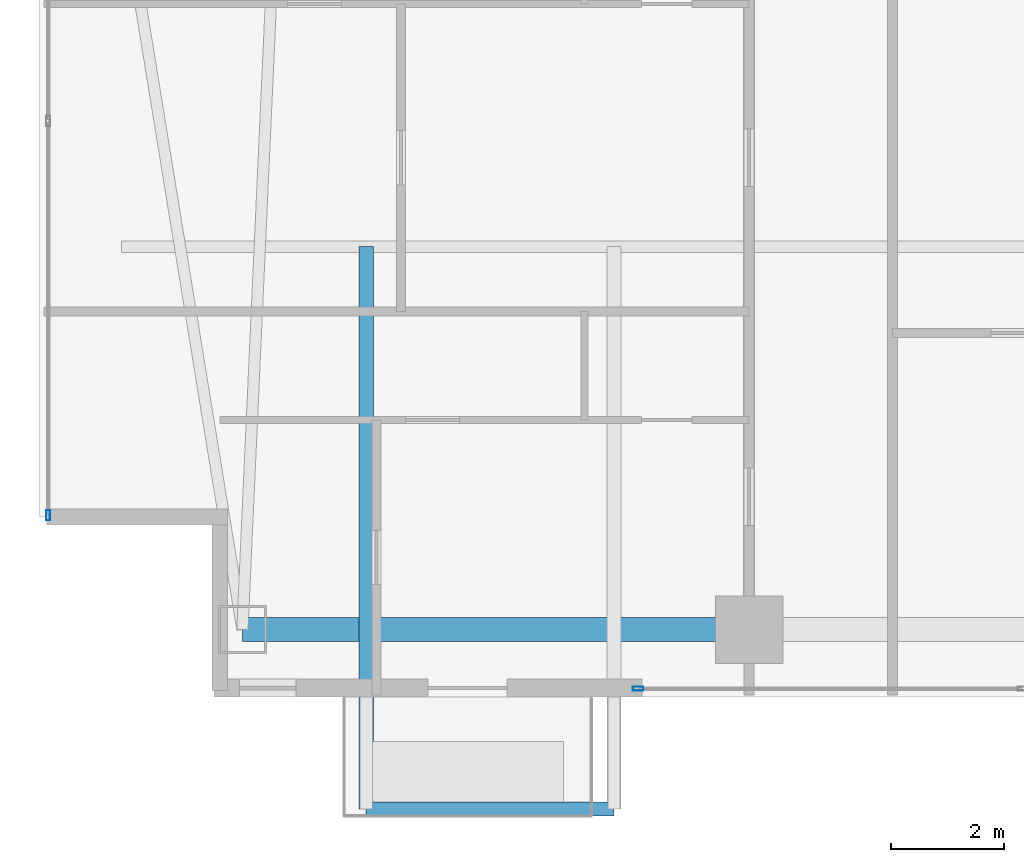
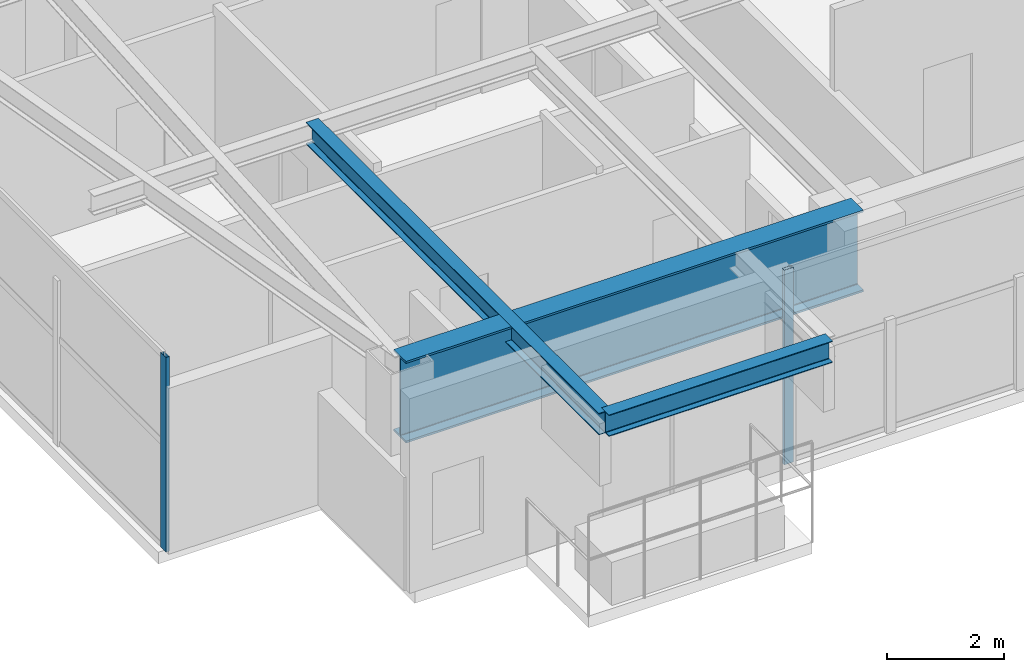
# One storey, part 2 of 30: 3 beams, 2 members, 2 elements without a shape of their own.
"""IFC4 building model written with IfcOpenShell, lengths in metres."""

from ifc_helpers import new_model, si_unit, direction, frame, origin, origin_2d, place, context, subcontext, project, spatial, hollow_rectangle, i_section, extrude, material, layer, layer_set, material_profile, profile_set, type_object, element, aggregate, save


model = new_model("IFC4")

# Units and contexts
model_context = context("Model", 3, precision=1e-05, world=origin(), true_north=direction((0.0, 1.0)))
body_context = subcontext(model_context, "Body", "Model", "MODEL_VIEW")
ifc_project = project(units=[si_unit("LENGTHUNIT", "METRE"), si_unit("AREAUNIT", "SQUARE_METRE"), si_unit("VOLUMEUNIT", "CUBIC_METRE"), si_unit("PLANEANGLEUNIT", "RADIAN"), si_unit("MASSUNIT", "GRAM", prefix="KILO")], contexts=[model_context])

# Site, building, storey
site_placement = place(None, origin())
site = spatial("IfcSite", under=ifc_project, at=site_placement, CompositionType="ELEMENT")
building_placement = place(site_placement, origin())
building = spatial("IfcBuilding", under=site, at=building_placement, Name="Calvorn Quay Hotel", CompositionType="ELEMENT")
storey_placement = place(building_placement, frame((0.0, 0.0, 195.10009765625)))
storey = spatial("IfcBuildingStorey", under=building, at=storey_placement, Name="L48", CompositionType="ELEMENT", Elevation=195.10009765625)

# Beams
ifc_material_1 = material(Name="Steel Q355B", Category="steel")
ifc_material_profile_1 = material_profile(ifc_material_1, i_section(OverallWidth=0.25, OverallDepth=0.449951171875, WebThickness=0.011962890625, FlangeThickness=0.01611328125, FilletRadius=0.01611328125, at=origin_2d()), Name="HN450x250x12x16")
ifc_profile_set_1 = profile_set([ifc_material_profile_1], Name="Steel Q355B")
beam_type_1 = type_object("IfcBeamType", Name="BM-CANT-BALC", PredefinedType="BEAM", material=ifc_profile_set_1)
beam_1_placement = place(storey_placement, frame((5.800048828125, 10.39990234375, 3.824951171875), z_axis=(0.0, -1.0, 0.0), x_axis=(1.0, 0.0, 0.0)))
element("IfcBeam", 1, at=beam_1_placement, inside=storey, type_object=beam_type_1, Name="Cantilever Balcony Beam BCB-L49-1A", PredefinedType="BEAM", context=body_context, shape_type="SweptSolid", body=[
    extrude(i_section(OverallWidth=0.25, OverallDepth=0.449951171875, WebThickness=0.011962890625, FlangeThickness=0.01611328125, FilletRadius=0.01611328125, at=origin_2d()), origin(), (0.0, 0.0, 1.0), 9.989990234375),
])
beam_2_placement = place(storey_placement, frame((5.800048828125, 0.409912109375, 3.824951171875), z_axis=(1.0, 0.0, 0.0), x_axis=(0.0, 1.0, 0.0)))
element("IfcBeam", 2, at=beam_2_placement, inside=storey, type_object=beam_type_1, Name="Beam BCBO-L49-1", PredefinedType="BEAM", context=body_context, shape_type="SweptSolid", body=[
    extrude(i_section(OverallWidth=0.25, OverallDepth=0.449951171875, WebThickness=0.011962890625, FlangeThickness=0.01611328125, FilletRadius=0.01611328125, at=origin_2d()), origin(), (0.0, 0.0, 1.0), 4.39990234375),
])
ifc_material_2 = material(Name="Steel Q420GJC", Category="steel")
ifc_material_profile_2 = material_profile(ifc_material_2, i_section(OverallWidth=0.419921875, OverallDepth=1.699951171875, WebThickness=0.02392578125, FlangeThickness=0.0419921875, FilletRadius=0.02392578125, at=origin_2d()), Name="HN1700x420x24x42")
ifc_profile_set_2 = profile_set([ifc_material_profile_2], Name="Steel Q420GJC")
beam_type_2 = type_object("IfcBeamType", Name="BM-XFER-SAWTOOTH", PredefinedType="BEAM", material=ifc_profile_set_2)
beam_3_placement = place(storey_placement, frame((3.60009765625, 3.60009765625, 3.199951171875), z_axis=(1.0, 0.0, 0.0), x_axis=(0.0, 1.0, 0.0)))
element("IfcBeam", 3, at=beam_3_placement, inside=storey, type_object=beam_type_2, Name="Beam BSP-L48-S1", PredefinedType="BEAM", context=body_context, shape_type="SweptSolid", body=[
    extrude(i_section(OverallWidth=0.419921875, OverallDepth=1.699951171875, WebThickness=0.02392578125, FlangeThickness=0.0419921875, FilletRadius=0.02392578125, at=origin_2d()), origin(), (0.0, 0.0, 1.0), 9.0),
])

# Curtain wall, member
ifc_material_3 = material(Name="Champagne Bronze Anodised Aluminium and Low-E Glass", Category="aluminium")
ifc_layer = layer(ifc_material_3, 0.219970703125)
ifc_layer_set = layer_set([ifc_layer], Name="CW-SYS-Z3")
curtain_wall_type = type_object("IfcCurtainWallType", Name="CW-SYS-Z3", PredefinedType="NOTDEFINED", material=ifc_layer_set)
curtain_wall_1_placement = place(storey_placement, origin())
curtain_wall_1 = element("IfcCurtainWall", 4, at=curtain_wall_1_placement, inside=storey, type_object=curtain_wall_type, Name="Tower West Curtain Wall (L48)", PredefinedType="NOTDEFINED")
ifc_material_4 = material(Name="Champagne Bronze Anodised Aluminium 6063-T6", Category="aluminium")
ifc_material_profile_3 = material_profile(ifc_material_4, hollow_rectangle(XDim=0.068115234375, YDim=0.18505859375, WallThickness=0.00390625, at=origin_2d()), Name="ALU-M185x68x4")
ifc_profile_set_3 = profile_set([ifc_material_profile_3], Name="Champagne Bronze Anodised Aluminium 6063-T6")
member_type = type_object("IfcMemberType", Name="CW-SYS-Z3-MUL", PredefinedType="MULLION", material=ifc_profile_set_3)
member_1_placement = place(storey_placement, frame((0.14990234375, 5.6298828125, 0.0), z_axis=(0.0, 0.0, 1.0), x_axis=(-1.0, 0.0, 0.0)))
member_1 = element("IfcMember", 5, at=member_1_placement, type_object=member_type, Name="CW-L48-W mullion 1", PredefinedType="MULLION", context=body_context, shape_type="SweptSolid", body=[
    extrude(hollow_rectangle(XDim=0.068115234375, YDim=0.18505859375, WallThickness=0.00390625, at=origin_2d()), origin(), (0.0, 0.0, 1.0), 4.0498046875),
])
aggregate(curtain_wall_1, [member_1])

curtain_wall_2_placement = place(storey_placement, origin())
curtain_wall_2 = element("IfcCurtainWall", 6, at=curtain_wall_2_placement, inside=storey, type_object=curtain_wall_type, Name="Tower South Waterfront Curtain Wall (L48)", PredefinedType="NOTDEFINED")
member_2_placement = place(storey_placement, frame((10.6298828125, 2.550048828125, 0.0), z_axis=(0.0, 0.0, 1.0), x_axis=(0.0, 1.0, 0.0)))
member_2 = element("IfcMember", 7, at=member_2_placement, type_object=member_type, Name="CW-L48-S mullion 1", PredefinedType="MULLION", context=body_context, shape_type="SweptSolid", body=[
    extrude(hollow_rectangle(XDim=0.068115234375, YDim=0.18505859375, WallThickness=0.00390625, at=origin_2d()), origin(), (0.0, 0.0, 1.0), 4.0498046875),
])
aggregate(curtain_wall_2, [member_2])

save(model, "model.ifc")
